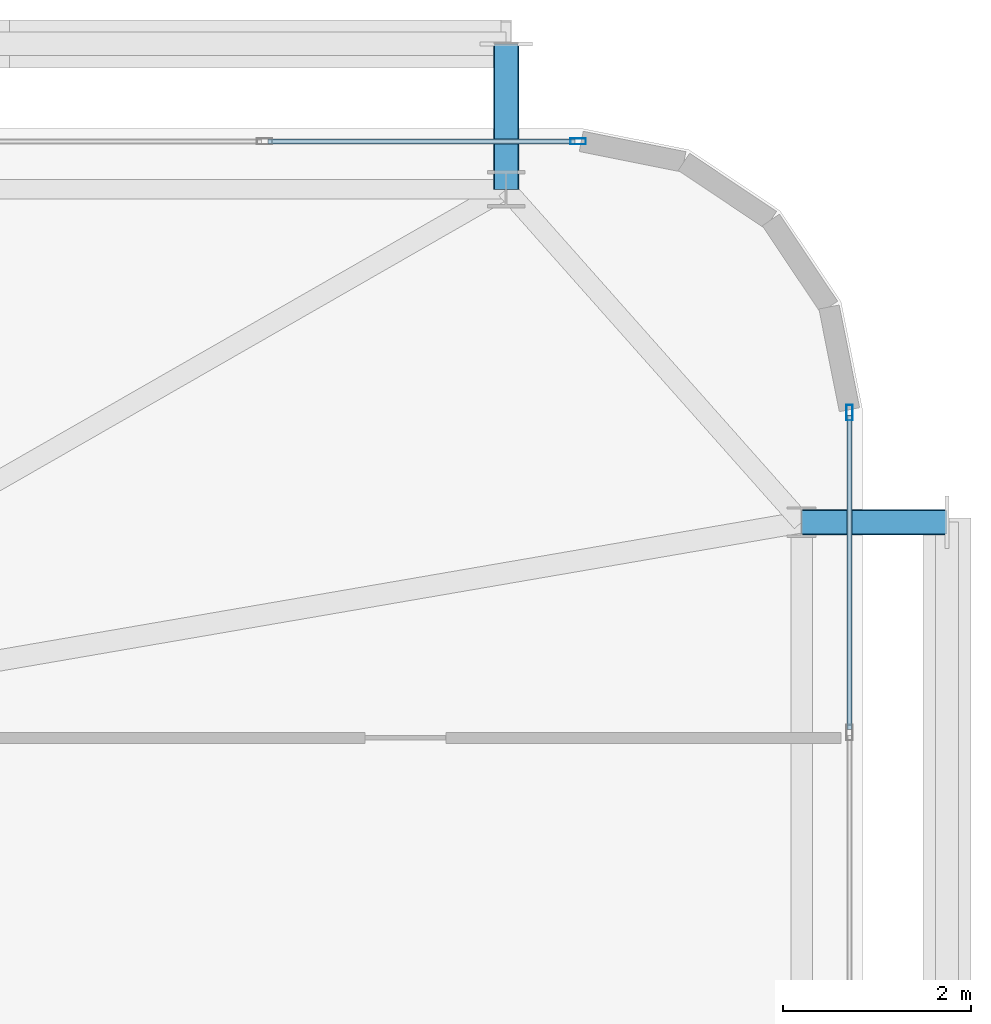
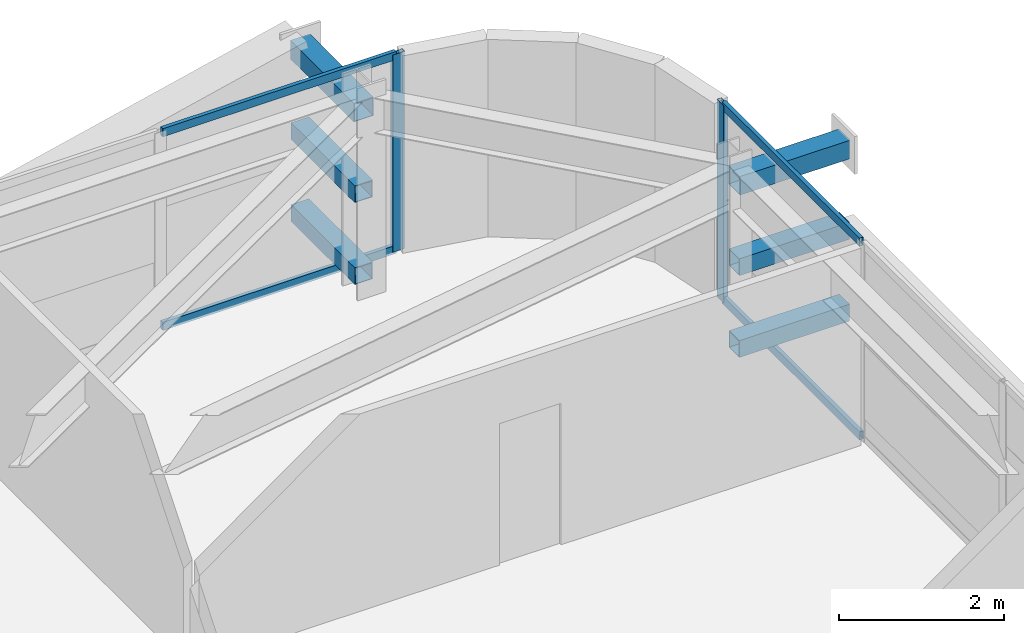
# One storey, part 41 of 58: 12 members, 2 elements without a shape of their own.
"""IFC4 building model written with IfcOpenShell, lengths in metres."""

from ifc_helpers import new_model, si_unit, direction, frame, origin, origin_2d, place, context, subcontext, project, spatial, hollow_rectangle, extrude, source, transform, mapped, material, layer, layer_set, material_profile, profile_set, type_object, element, aggregate, save


model = new_model("IFC4")

# Units and contexts
model_context = context("Model", 3, precision=1e-05, world=origin(), true_north=direction((0.0, 1.0)))
body_context = subcontext(model_context, "Body", "Model", "MODEL_VIEW")
ifc_project = project(units=[si_unit("LENGTHUNIT", "METRE"), si_unit("AREAUNIT", "SQUARE_METRE"), si_unit("VOLUMEUNIT", "CUBIC_METRE"), si_unit("PLANEANGLEUNIT", "RADIAN"), si_unit("MASSUNIT", "GRAM", prefix="KILO")], contexts=[model_context])

# Site, building, storey
site_placement = place(None, origin())
site = spatial("IfcSite", under=ifc_project, at=site_placement, CompositionType="ELEMENT")
building_placement = place(site_placement, origin())
building = spatial("IfcBuilding", under=site, at=building_placement, Name="Taldren Reach Tower", CompositionType="ELEMENT")
storey_placement = place(building_placement, frame((0.0, 0.0, 54.60009765625)))
storey = spatial("IfcBuildingStorey", under=building, at=storey_placement, Name="L16", CompositionType="ELEMENT", Elevation=54.60009765625)

# Members
ifc_material_1 = material(Name="Steel Gr 450 (C450L0)", Category="steel")
ifc_material_profile_1 = material_profile(ifc_material_1, hollow_rectangle(XDim=0.27490234375, YDim=0.27490234375, WallThickness=0.00927734375, at=origin_2d()), Name="275x275x9.3SHS")
ifc_profile_set_1 = profile_set([ifc_material_profile_1], Name="Steel Gr 450 (C450L0)")
member_type_1 = type_object("IfcMemberType", Name="MB-TIE273", PredefinedType="STRUT", material=ifc_profile_set_1)
shared_shape_1 = source(origin(), body_context, "Body", "SweptSolid", [
    extrude(hollow_rectangle(XDim=0.27490234375, YDim=0.27490234375, WallThickness=0.00927734375, at=origin_2d()), origin(), (0.0, 0.0, 1.0), 1.5498046875),
])
for number, where, z_axis, x_axis, name in (
    (1, (61.199951171875, 37.85009765625, 2.64990234375), (0.0, 1.0, 0.0), (-1.0, 0.0, 0.0), "Exoskeleton diaphragm tie strut B1-N6 L16"),
    (2, (64.35009765625, 34.300048828125, 2.64990234375), (1.0, 0.0, 0.0), (0.0, 1.0, 0.0), "Exoskeleton diaphragm tie strut B1-E3 L16"),
):
    element("IfcMember", number, at=place(storey_placement, frame(where, z_axis=z_axis, x_axis=x_axis)), inside=storey, type_object=member_type_1, Name=name, PredefinedType="STRUT", context=body_context, shape_type="MappedRepresentation", body=[
        mapped(shared_shape_1, transform((0.0, 0.0, 0.0), scale=1.0)),
    ])
ifc_material_2 = material(Name="Steel Gr 350 (C350L0)", Category="steel")
ifc_material_profile_2 = material_profile(ifc_material_2, hollow_rectangle(XDim=0.25, YDim=0.25, WallThickness=0.010009765625, at=origin_2d()), Name="250x250x10.0SHS")
ifc_profile_set_2 = profile_set([ifc_material_profile_2], Name="Steel Gr 350 (C350L0)")
member_type_2 = type_object("IfcMemberType", Name="MB-POST250", PredefinedType="POST", material=ifc_profile_set_2)
shared_shape_2 = source(origin(), body_context, "Body", "SweptSolid", [
    extrude(hollow_rectangle(XDim=0.25, YDim=0.25, WallThickness=0.010009765625, at=origin_2d()), origin(), (0.0, 0.0, 1.0), 1.5498046875),
])
for number, where, z_axis, x_axis, name in (
    (3, (61.199951171875, 37.85009765625, 0.219970703125), (0.0, 1.0, 0.0), (-1.0, 0.0, 0.0), "Exoskeleton base diaphragm tie strut B1-N6 L16"),
    (4, (64.35009765625, 34.300048828125, 0.219970703125), (1.0, 0.0, 0.0), (0.0, 1.0, 0.0), "Exoskeleton base diaphragm tie strut B1-E3 L16"),
    (5, (61.199951171875, 37.85009765625, 1.434814453125), (0.0, 1.0, 0.0), (-1.0, 0.0, 0.0), "Exoskeleton mid-tier diaphragm tie B1-N6 L16"),
    (6, (64.35009765625, 34.300048828125, 1.434814453125), (1.0, 0.0, 0.0), (0.0, 1.0, 0.0), "Exoskeleton mid-tier diaphragm tie B1-E3 L16"),
):
    element("IfcMember", number, at=place(storey_placement, frame(where, z_axis=z_axis, x_axis=x_axis)), inside=storey, type_object=member_type_2, Name=name, PredefinedType="POST", context=body_context, shape_type="MappedRepresentation", body=[
        mapped(shared_shape_2, transform((0.0, 0.0, 0.0), scale=1.0)),
    ])

# Curtain wall, member
ifc_material_3 = material(Name="Aluminium and Low-E Glass Unitised System", Category="aluminium")
ifc_layer = layer(ifc_material_3, 0.159912109375)
ifc_layer_set = layer_set([ifc_layer], Name="Aluminium and Low-E Glass Unitised System")
curtain_wall_type = type_object("IfcCurtainWallType", Name="CW-SYS-2", PredefinedType="NOTDEFINED", material=ifc_layer_set)
curtain_wall_1_placement = place(storey_placement, origin())
curtain_wall_1 = element("IfcCurtainWall", 7, at=curtain_wall_1_placement, inside=storey, type_object=curtain_wall_type, Name="Unitised curtain wall CW-L16-N", PredefinedType="NOTDEFINED")
ifc_material_4 = material(Name="Anodised Aluminium 6063-T6", Category="aluminium")
ifc_material_profile_3 = material_profile(ifc_material_4, hollow_rectangle(XDim=0.06494140625, YDim=0.1650390625, WallThickness=0.00390625, at=origin_2d()), Name="ALU-165x65x4RHS")
ifc_profile_set_3 = profile_set([ifc_material_profile_3], Name="Anodised Aluminium 6063-T6")
member_type_3 = type_object("IfcMemberType", Name="CW-MUL-165", PredefinedType="MULLION", material=ifc_profile_set_3)
shared_shape_3 = source(origin(), body_context, "Body", "SweptSolid", [
    extrude(hollow_rectangle(XDim=0.06494140625, YDim=0.1650390625, WallThickness=0.00390625, at=origin_2d()), origin(), (0.0, 0.0, 1.0), 2.929931640625),
])
member_1_placement = place(storey_placement, frame((61.967529296875, 38.360107421875, 0.0), z_axis=(0.0, 0.0, 1.0), x_axis=(0.0, -1.0, 0.0)))
member_1 = element("IfcMember", 8, at=member_1_placement, type_object=member_type_3, Name="CW-2 mullion 1", PredefinedType="MULLION", context=body_context, shape_type="MappedRepresentation", body=[
    mapped(shared_shape_3, transform((0.0, 0.0, 0.0), scale=1.0)),
])

curtain_wall_2_placement = place(storey_placement, origin())
curtain_wall_2 = element("IfcCurtainWall", 9, at=curtain_wall_2_placement, inside=storey, type_object=curtain_wall_type, Name="Unitised curtain wall CW-L16-E", PredefinedType="NOTDEFINED")
member_2_placement = place(storey_placement, frame((64.860107421875, 35.467529296875, 0.0), z_axis=(0.0, 0.0, 1.0), x_axis=(-1.0, 0.0, 0.0)))
member_2 = element("IfcMember", 10, at=member_2_placement, type_object=member_type_3, Name="CW-2 mullion 10", PredefinedType="MULLION", context=body_context, shape_type="MappedRepresentation", body=[
    mapped(shared_shape_3, transform((0.0, 0.0, 0.0), scale=1.0)),
])

# Member
ifc_material_profile_4 = material_profile(ifc_material_4, hollow_rectangle(XDim=0.054931640625, YDim=0.1201171875, WallThickness=0.0029296875, at=origin_2d()), Name="ALU-120x55x3RHS")
ifc_profile_set_4 = profile_set([ifc_material_profile_4], Name="Anodised Aluminium 6063-T6")
member_type_4 = type_object("IfcMemberType", Name="CW-TRN-135", PredefinedType="USERDEFINED", material=ifc_profile_set_4)
shared_shape_4 = source(origin(), body_context, "Body", "SweptSolid", [
    extrude(hollow_rectangle(XDim=0.054931640625, YDim=0.1201171875, WallThickness=0.0029296875, at=origin_2d()), origin(), (0.0, 0.0, 1.0), 3.277587890625),
])
member_3_placement = place(storey_placement, frame((61.93505859375, 38.360107421875, 0.02734375), z_axis=(-1.0, 0.0, 0.0), x_axis=(0.0, -1.0, 0.0)))
member_3 = element("IfcMember", 11, at=member_3_placement, type_object=member_type_4, Name="CW-2 transom 1.1", ObjectType="TRANSOM", PredefinedType="USERDEFINED", context=body_context, shape_type="MappedRepresentation", body=[
    mapped(shared_shape_4, transform((0.0, 0.0, 0.0), scale=1.0)),
])

member_4_placement = place(storey_placement, frame((61.93505859375, 38.360107421875, 2.90234375), z_axis=(-1.0, 0.0, 0.0), x_axis=(0.0, -1.0, 0.0)))
member_4 = element("IfcMember", 12, at=member_4_placement, type_object=member_type_4, Name="CW-2 transom 1.2", ObjectType="TRANSOM", PredefinedType="USERDEFINED", context=body_context, shape_type="MappedRepresentation", body=[
    mapped(shared_shape_4, transform((0.0, 0.0, 0.0), scale=1.0)),
])

aggregate(curtain_wall_1, [member_1, member_3, member_4])

shared_shape_5 = source(origin(), body_context, "Body", "SweptSolid", [
    extrude(hollow_rectangle(XDim=0.054931640625, YDim=0.1201171875, WallThickness=0.0029296875, at=origin_2d()), origin(), (0.0, 0.0, 1.0), 3.346923828125),
])
member_5_placement = place(storey_placement, frame((64.860107421875, 32.088134765625, 0.02734375), z_axis=(0.0, 1.0, 0.0), x_axis=(-1.0, 0.0, 0.0)))
member_5 = element("IfcMember", 13, at=member_5_placement, type_object=member_type_4, Name="CW-2 transom 9.1", ObjectType="TRANSOM", PredefinedType="USERDEFINED", context=body_context, shape_type="MappedRepresentation", body=[
    mapped(shared_shape_5, transform((0.0, 0.0, 0.0), scale=1.0)),
])

member_6_placement = place(storey_placement, frame((64.860107421875, 32.088134765625, 2.90234375), z_axis=(0.0, 1.0, 0.0), x_axis=(-1.0, 0.0, 0.0)))
member_6 = element("IfcMember", 14, at=member_6_placement, type_object=member_type_4, Name="CW-2 transom 9.2", ObjectType="TRANSOM", PredefinedType="USERDEFINED", context=body_context, shape_type="MappedRepresentation", body=[
    mapped(shared_shape_5, transform((0.0, 0.0, 0.0), scale=1.0)),
])

aggregate(curtain_wall_2, [member_2, member_5, member_6])

save(model, "model.ifc")
